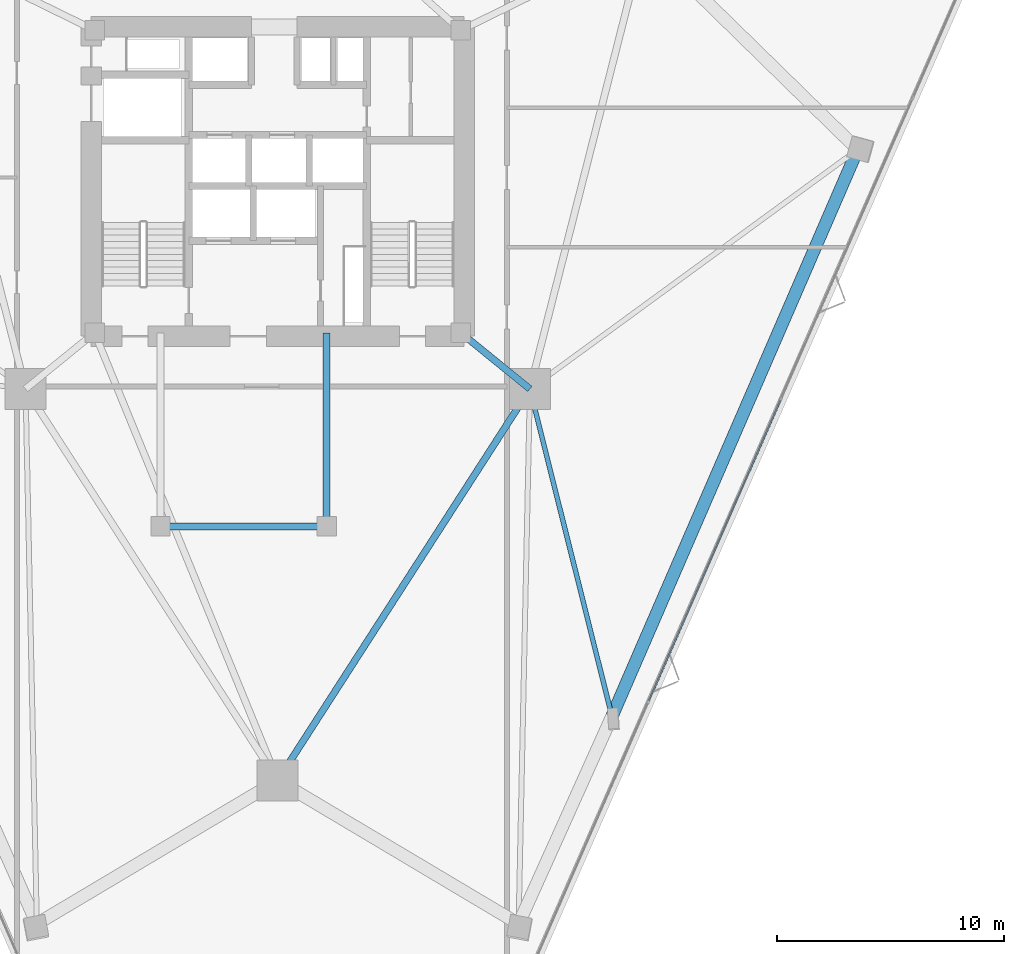
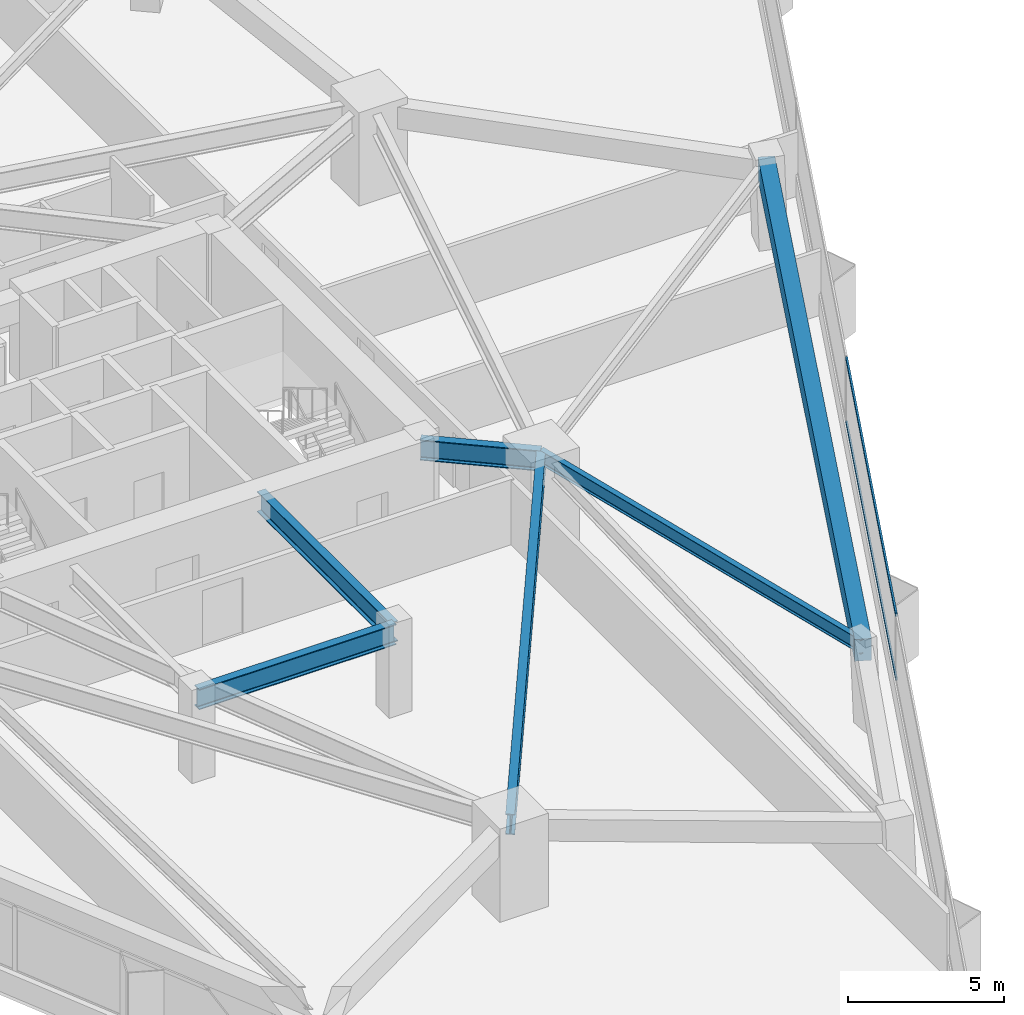
# One storey, part 8 of 20: 6 beams, 2 members, 1 element without a shape of its own.
"""IFC4 building model written with IfcOpenShell, lengths in metres."""

from ifc_helpers import new_model, si_unit, direction, frame, origin, origin_2d, place, context, subcontext, project, spatial, rectangle, i_section, extrude, material, layer, layer_set, material_profile, profile_set, type_object, element, aggregate, save


model = new_model("IFC4")

# Units and contexts
model_context = context("Model", 3, precision=1e-05, world=origin(), true_north=direction((0.0, 1.0)))
body_context = subcontext(model_context, "Body", "Model", "MODEL_VIEW")
ifc_project = project(units=[si_unit("LENGTHUNIT", "METRE"), si_unit("AREAUNIT", "SQUARE_METRE"), si_unit("VOLUMEUNIT", "CUBIC_METRE"), si_unit("PLANEANGLEUNIT", "RADIAN"), si_unit("MASSUNIT", "GRAM", prefix="KILO")], contexts=[model_context])

# Site, building, storey
site_placement = place(None, origin())
site = spatial("IfcSite", under=ifc_project, at=site_placement, CompositionType="ELEMENT")
building_placement = place(site_placement, origin())
building = spatial("IfcBuilding", under=site, at=building_placement, Name="Talyreon Biosciences Tower", CompositionType="ELEMENT")
storey_placement = place(building_placement, frame((0.0, 0.0, 41.050048828125)))
storey = spatial("IfcBuildingStorey", under=building, at=storey_placement, Name="L10", CompositionType="ELEMENT", Elevation=41.050048828125)

# Curtain wall, members
ifc_material_1 = material(Name="Thermally broken aluminium and low-E glazing", Category="aluminium")
ifc_layer = layer(ifc_material_1, 0.195068359375)
ifc_layer_set = layer_set([ifc_layer], Name="Thermally broken aluminium and low-E glazing")
curtain_wall_type = type_object("IfcCurtainWallType", Name="CurtainWall_Zone1WetLab", PredefinedType="NOTDEFINED", material=ifc_layer_set)
curtain_wall_placement = place(storey_placement, origin())
curtain_wall = element("IfcCurtainWall", 1, at=curtain_wall_placement, inside=storey, type_object=curtain_wall_type, Name="L10 Unitised Curtain Wall FCW-L10-08", PredefinedType="NOTDEFINED")
ifc_material_2 = material(Name="Anodised thermally broken aluminium", Category="aluminium")
ifc_material_profile_1 = material_profile(ifc_material_2, rectangle(XDim=0.06494140625, YDim=0.139892578125, at=origin_2d()), Name="ALUM TRANSOM 65x140")
ifc_profile_set_1 = profile_set([ifc_material_profile_1], Name="Anodised thermally broken aluminium")
member_type = type_object("IfcMemberType", Name="CWTransom_65x140", PredefinedType="USERDEFINED", material=ifc_profile_set_1)
member_1_placement = place(storey_placement, frame((88.1044921875, 58.37890625, 0.842529296875), z_axis=(-0.401223081321, -0.915980370431, 0.0), x_axis=(0.915980370431, -0.401223081321, 0.0)))
member_1 = element("IfcMember", 2, at=member_1_placement, type_object=member_type, Name="CW2 transom 3.1", ObjectType="TRANSOM", PredefinedType="USERDEFINED", context=body_context, shape_type="SweptSolid", body=[
    extrude(rectangle(XDim=0.06494140625, YDim=0.139892578125, at=origin_2d()), origin(), (0.0, 0.0, 1.0), 14.413818359375),
])
member_2_placement = place(storey_placement, frame((88.1044921875, 58.37890625, 3.342529296875), z_axis=(-0.401223081321, -0.915980370431, 0.0), x_axis=(0.915980370431, -0.401223081321, 0.0)))
member_2 = element("IfcMember", 3, at=member_2_placement, type_object=member_type, Name="CW2 transom 3.2", ObjectType="TRANSOM", PredefinedType="USERDEFINED", context=body_context, shape_type="SweptSolid", body=[
    extrude(rectangle(XDim=0.06494140625, YDim=0.139892578125, at=origin_2d()), origin(), (0.0, 0.0, 1.0), 14.413818359375),
])
aggregate(curtain_wall, [member_1, member_2])

# Beams
ifc_material_3 = material(Name="Precast concrete C45/55", Category="concrete")
ifc_material_profile_2 = material_profile(ifc_material_3, rectangle(XDim=0.550048828125, YDim=0.85009765625, at=origin_2d()), Name="RCB 550x850")
ifc_profile_set_2 = profile_set([ifc_material_profile_2], Name="Precast concrete C45/55")
beam_type_1 = type_object("IfcBeamType", Name="ExpressedSpandrel_550x850", PredefinedType="SPANDREL", material=ifc_profile_set_2)
beam_1_placement = place(storey_placement, frame((80.69580078125, 44.488525390625, 2.949951171875), z_axis=(0.397764095071, 0.917487724535, 0.0), x_axis=(-0.917487724535, 0.397764095071, 0.0)))
element("IfcBeam", 4, at=beam_1_placement, inside=storey, type_object=beam_type_1, Name="L10 Expressed Horizontal Concrete Spandrel 03", PredefinedType="SPANDREL", context=body_context, shape_type="SweptSolid", body=[
    extrude(rectangle(XDim=0.550048828125, YDim=0.85009765625, at=origin_2d()), origin(), (0.0, 0.0, 1.0), 27.15869140625),
])
ifc_material_4 = material(Name="Steel SM355", Category="steel")
ifc_material_profile_3 = material_profile(ifc_material_4, i_section(OverallWidth=0.300048828125, OverallDepth=0.800048828125, WebThickness=0.017578125, FlangeThickness=0.032958984375, FilletRadius=0.030029296875, at=origin_2d()), Name="HE800B")
ifc_profile_set_3 = profile_set([ifc_material_profile_3], Name="Steel SM355")
beam_type_2 = type_object("IfcBeamType", Name="SteelGirder_HE800B", PredefinedType="BEAM", material=ifc_profile_set_3)
beam_2_placement = place(storey_placement, frame((66.0, 41.6669921875, 2.974853515625), z_axis=(0.541463723609, 0.840724114092, 0.0), x_axis=(-0.840724114092, 0.541463723609, 0.0)))
element("IfcBeam", 5, at=beam_2_placement, inside=storey, type_object=beam_type_2, Name="L10 Mega-Ring Girder 1", PredefinedType="BEAM", context=body_context, shape_type="SweptSolid", body=[
    extrude(i_section(OverallWidth=0.300048828125, OverallDepth=0.800048828125, WebThickness=0.017578125, FlangeThickness=0.032958984375, FilletRadius=0.030029296875, at=origin_2d()), origin(), (0.0, 0.0, 1.0), 20.474365234375),
])
beam_3_placement = place(storey_placement, frame((74.050048828125, 61.35009765625, 2.974853515625), z_axis=(0.775755154013, -0.631034025249, 0.0), x_axis=(0.631034025249, 0.775755154013, 0.0)))
element("IfcBeam", 6, at=beam_3_placement, inside=storey, type_object=beam_type_2, Name="L10 Radial Primary Girder 2", PredefinedType="BEAM", context=body_context, shape_type="SweptSolid", body=[
    extrude(i_section(OverallWidth=0.300048828125, OverallDepth=0.800048828125, WebThickness=0.017578125, FlangeThickness=0.032958984375, FilletRadius=0.030029296875, at=origin_2d()), origin(), (0.0, 0.0, 1.0), 3.913818359375),
])
beam_4_placement = place(storey_placement, frame((60.85009765625, 52.840087890625, 2.974853515625), z_axis=(1.0, 0.0, 0.0), x_axis=(0.0, 1.0, 0.0)))
element("IfcBeam", 7, at=beam_4_placement, inside=storey, type_object=beam_type_2, Name="L10 Crown Shaft Spine Girder S", PredefinedType="BEAM", context=body_context, shape_type="SweptSolid", body=[
    extrude(i_section(OverallWidth=0.300048828125, OverallDepth=0.800048828125, WebThickness=0.017578125, FlangeThickness=0.032958984375, FilletRadius=0.030029296875, at=origin_2d()), origin(), (0.0, 0.0, 1.0), 7.2998046875),
])
beam_5_placement = place(storey_placement, frame((68.14990234375, 52.840087890625, 2.974853515625), z_axis=(0.0, 1.0, 0.0), x_axis=(-1.0, 0.0, 0.0)))
element("IfcBeam", 8, at=beam_5_placement, inside=storey, type_object=beam_type_2, Name="L10 Crown Shaft Tie Girder E", PredefinedType="BEAM", context=body_context, shape_type="SweptSolid", body=[
    extrude(i_section(OverallWidth=0.300048828125, OverallDepth=0.800048828125, WebThickness=0.017578125, FlangeThickness=0.032958984375, FilletRadius=0.030029296875, at=origin_2d()), origin(), (0.0, 0.0, 1.0), 8.510009765625),
])
ifc_material_profile_4 = material_profile(ifc_material_4, i_section(OverallWidth=0.2099609375, OverallDepth=0.550048828125, WebThickness=0.010986328125, FlangeThickness=0.01708984375, FilletRadius=0.02392578125, at=origin_2d()), Name="IPE550")
ifc_profile_set_4 = profile_set([ifc_material_profile_4], Name="Steel SM355")
beam_type_3 = type_object("IfcBeamType", Name="SteelJoist_IPE550", PredefinedType="JOIST", material=ifc_profile_set_4)
beam_6_placement = place(storey_placement, frame((77.086181640625, 58.88037109375, 3.099853515625), z_axis=(0.243275024707, -0.969957350791, 0.0), x_axis=(0.969957350791, 0.243275024707, 0.0)))
element("IfcBeam", 9, at=beam_6_placement, inside=storey, type_object=beam_type_3, Name="L10 Radial Composite Floor Joist PL-SE", PredefinedType="JOIST", context=body_context, shape_type="SweptSolid", body=[
    extrude(i_section(OverallWidth=0.2099609375, OverallDepth=0.550048828125, WebThickness=0.010986328125, FlangeThickness=0.01708984375, FilletRadius=0.02392578125, at=origin_2d()), origin(), (0.0, 0.0, 1.0), 14.837646484375),
])

save(model, "model.ifc")
